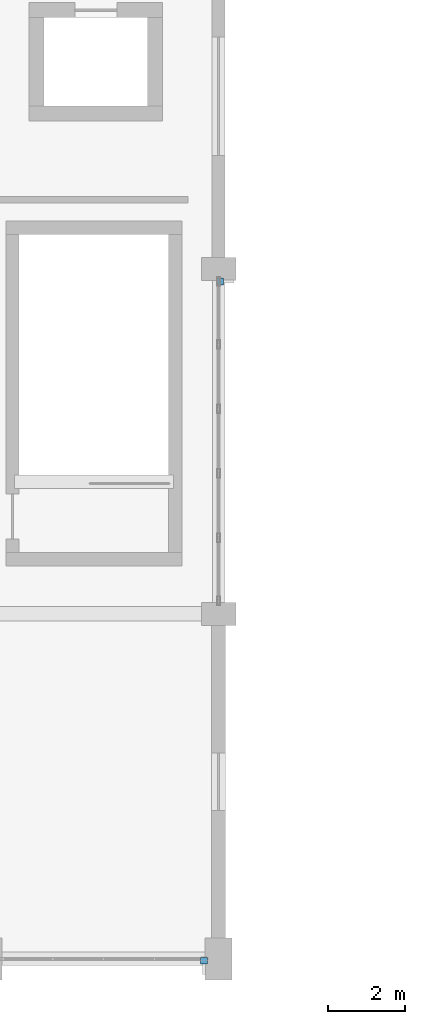
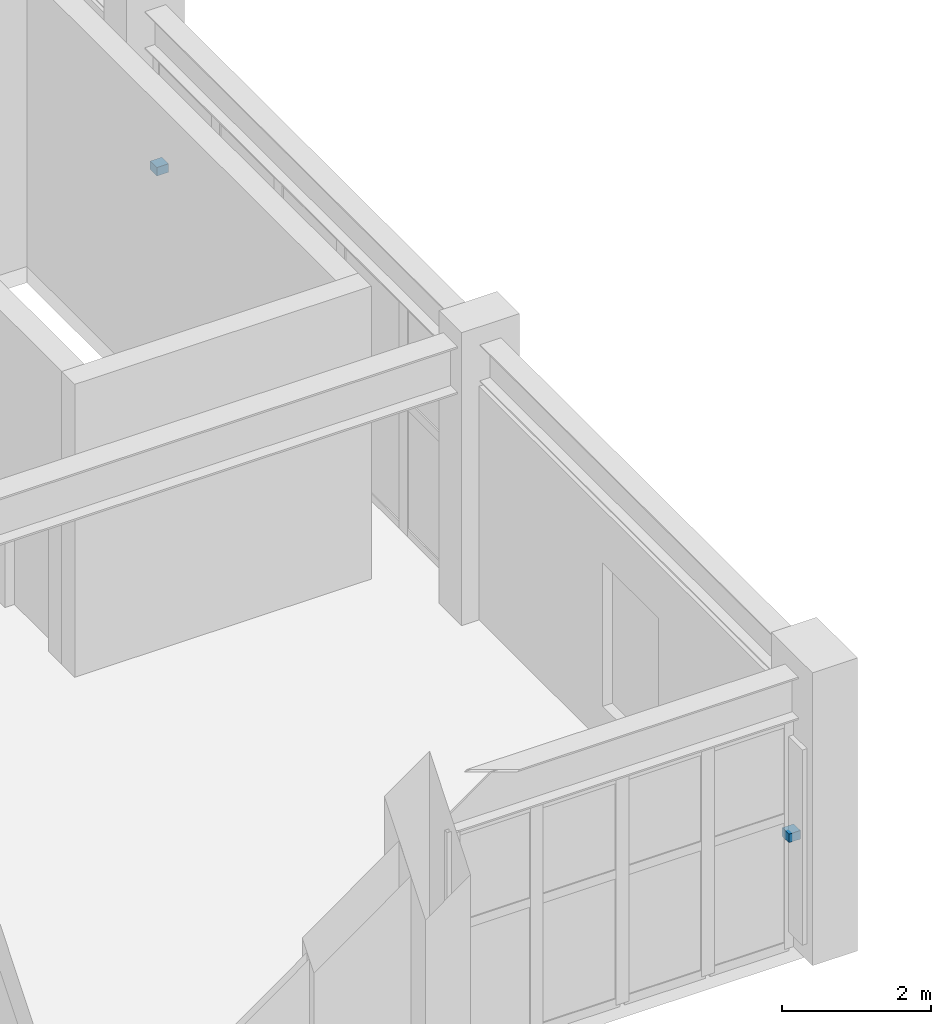
# One storey, part 66 of 80: 2 discrete accessories.
"""IFC4 building model written with IfcOpenShell, lengths in metres."""

from ifc_helpers import new_model, si_unit, direction, frame, origin, origin_2d, place, context, subcontext, project, spatial, rectangle, extrude, material, layer, layer_set, type_object, element, save


model = new_model("IFC4")

# Units and contexts
model_context = context("Model", 3, precision=1e-05, world=origin(), true_north=direction((0.0, 1.0)))
body_context = subcontext(model_context, "Body", "Model", "MODEL_VIEW")
ifc_project = project(units=[si_unit("LENGTHUNIT", "METRE"), si_unit("AREAUNIT", "SQUARE_METRE"), si_unit("VOLUMEUNIT", "CUBIC_METRE"), si_unit("PLANEANGLEUNIT", "RADIAN"), si_unit("MASSUNIT", "GRAM", prefix="KILO")], contexts=[model_context])

# Site, building, storey
site_placement = place(None, origin())
site = spatial("IfcSite", under=ifc_project, at=site_placement, CompositionType="ELEMENT")
building_placement = place(site_placement, origin())
building = spatial("IfcBuilding", under=site, at=building_placement, Name="Vaelkrest Opera House", CompositionType="ELEMENT")
storey_placement = place(building_placement, frame((0.0, 0.0, 15.0)))
storey = spatial("IfcBuildingStorey", under=building, at=storey_placement, Name="L03", CompositionType="ELEMENT", Elevation=15.0)

# Discrete accessories
ifc_material = material(Name="Steel A572 Gr50", Category="steel")
ifc_layer = layer(ifc_material, 0.139892578125)
ifc_layer_set = layer_set([ifc_layer], Name="Steel A572 Gr50")
discrete_accessory_type = type_object("IfcDiscreteAccessoryType", Name="BRK01", PredefinedType="BRACKET", material=ifc_layer_set)
for number, where, z_axis, x_axis, name in (
    (1, (29.616943359375, -55.840087890625, 1.80322265625), (0.0, 0.0, 1.0), (0.0, -1.0, 0.0), "Shading fin bracket 04"),
    (2, (30.0400390625, -38.135498046875, 1.84521484375), (0.0, 0.0, 1.0), (1.0, 0.0, 0.0), "Shading fin bracket 06"),
):
    element("IfcDiscreteAccessory", number, at=place(storey_placement, frame(where, z_axis=z_axis, x_axis=x_axis)), inside=storey, type_object=discrete_accessory_type, Name=name, PredefinedType="BRACKET", context=body_context, shape_type="SweptSolid", body=[
        extrude(rectangle(XDim=0.179931640625, YDim=0.179931640625, at=origin_2d()), origin(), (0.0, 0.0, 1.0), 0.139892578125),
    ])

save(model, "model.ifc")
